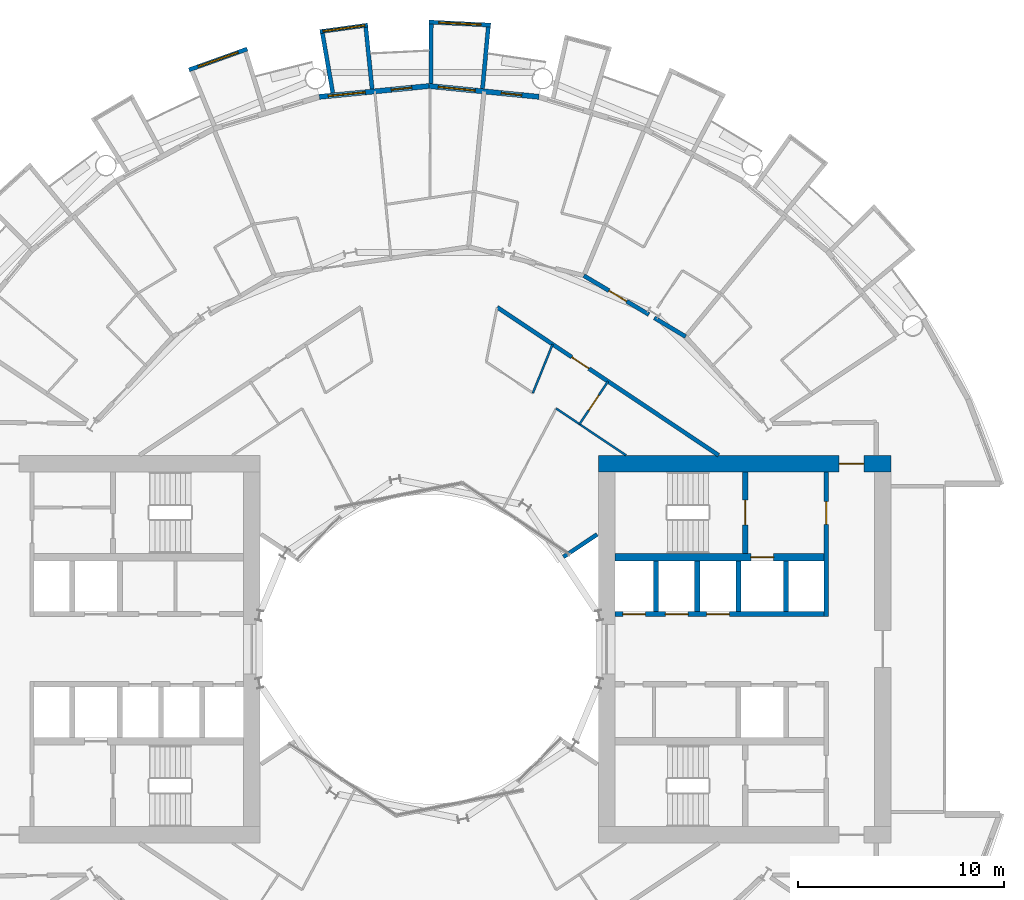
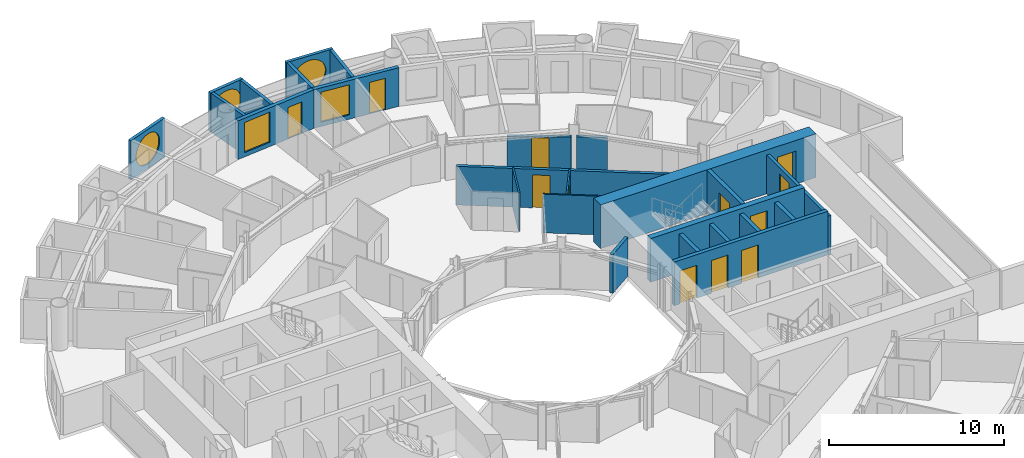
# One storey, part 20 of 26: 25 walls, 12 doors, 5 windows, 17 openings.
"""IFC4 building model written with IfcOpenShell, lengths in metres."""

import ifcopenshell
import ifcopenshell.guid

model = None  # the IFC model being written
_history = None  # IfcOwnerHistory: only IFC2X3 demands one
_inside = {}  # id of a spatial element -> (the spatial element, [elements in it])
_under = {}  # id of a project, library or spatial element -> (it, [spatial elements below it])
_declared = {}  # id of a project -> (the project, [libraries it declares])
_typed = {}  # id of a type object -> (the type object, [elements of that type])
_made_of = {}  # id of a material, layer set ... -> (it, [elements and type objects made of it])


def new_model(schema):
    """Start an empty IFC model of exactly this schema.

    Asked for "IFC4X3", IfcOpenShell would pick the latest addendum, in which some entities
    have other attributes; the version numbers below select the first issue.
    IFC2X3 requires an IfcOwnerHistory on every rooted entity: one is made here for all.
    """
    global model, _history
    if schema == "IFC4X3":
        model = ifcopenshell.file(schema_version=(4, 3, 0, 0))
    else:
        model = ifcopenshell.file(schema=schema)
    _inside.clear()
    _under.clear()
    _declared.clear()
    _typed.clear()
    _made_of.clear()
    _history = None
    if model.schema == "IFC2X3":
        org = make("IfcOrganization", Name="unknown")
        user = make(
            "IfcPersonAndOrganization",
            ThePerson=make("IfcPerson", FamilyName="unknown"),
            TheOrganization=org,
        )
        app = make(
            "IfcApplication",
            ApplicationDeveloper=org,
            Version="unknown",
            ApplicationFullName="unknown",
            ApplicationIdentifier="unknown",
        )
        _history = make(
            "IfcOwnerHistory",
            OwningUser=user,
            OwningApplication=app,
            ChangeAction="ADDED",
            CreationDate=0,
        )
    return model


def make(cls, **values):
    """One entity of the class cls with the attributes given. An attribute that is None is left unset."""
    return model.create_entity(
        cls, **{name: value for name, value in values.items() if value is not None}
    )


def rooted(cls, **values):
    """An entity with a GlobalId (a new one), such as an element, a storey or a relation."""
    return make(cls, GlobalId=ifcopenshell.guid.new(), OwnerHistory=_history, **values)


def si_unit(unit_type, name, prefix=None):
    """IfcSIUnit, for example si_unit("LENGTHUNIT", "METRE", prefix="MILLI")."""
    return make("IfcSIUnit", UnitType=unit_type, Prefix=prefix, Name=name)


def assignment(units):
    """IfcUnitAssignment: the units of a project."""
    return None if units is None else make("IfcUnitAssignment", Units=units)


def point(xyz):
    """IfcCartesianPoint."""
    return None if xyz is None else make("IfcCartesianPoint", Coordinates=xyz)


def direction(xyz):
    """IfcDirection."""
    return None if xyz is None else make("IfcDirection", DirectionRatios=xyz)


def frame(location, z_axis=None, x_axis=None):
    """IfcAxis2Placement3D, a coordinate frame: its origin and axes. An axis left out is left unset."""
    return make(
        "IfcAxis2Placement3D",
        Location=point(location),
        Axis=direction(z_axis),
        RefDirection=direction(x_axis),
    )


def frame_2d(location, x_axis=None):
    """IfcAxis2Placement2D, a coordinate frame in the plane: its origin and x axis."""
    return make(
        "IfcAxis2Placement2D", Location=point(location), RefDirection=direction(x_axis)
    )


def origin():
    """The frame at (0, 0, 0) with its axes left unset."""
    return frame((0.0, 0.0, 0.0))


def place(relative_to, where):
    """IfcLocalPlacement: puts the frame where relative to a parent placement (None: the world)."""
    return make(
        "IfcLocalPlacement", PlacementRelTo=relative_to, RelativePlacement=where
    )


def context(
    kind, dimensions, precision=None, world=None, true_north=None, identifier=None
):
    """IfcGeometricRepresentationContext, for example the 3D "Model" context."""
    return make(
        "IfcGeometricRepresentationContext",
        ContextIdentifier=identifier,
        ContextType=kind,
        CoordinateSpaceDimension=dimensions,
        Precision=precision,
        WorldCoordinateSystem=world,
        TrueNorth=true_north,
    )


def subcontext(parent, identifier, kind, view, scale=None):
    """IfcGeometricRepresentationSubContext, for example "Body" below "Model"."""
    return make(
        "IfcGeometricRepresentationSubContext",
        ContextIdentifier=identifier,
        ContextType=kind,
        ParentContext=parent,
        TargetScale=scale,
        TargetView=view,
    )


def project(units=None, contexts=None):
    """IfcProject with its units and contexts."""
    return rooted(
        "IfcProject",
        Name="project",
        RepresentationContexts=contexts,
        UnitsInContext=assignment(units),
    )


def spatial(cls, under=None, at=None, **own):
    """A site, building, storey or space (cls), placed at a placement, below another one or the project."""
    s = rooted(cls, ObjectPlacement=at, **own)
    if under is not None:
        _under.setdefault(under.id(), (under, []))[1].append(s)
    return s


def profile(cls, at=None, kind="AREA", **sizes):
    """A parametric profile (cls). Its sizes go by their IFC names, for example OverallWidth=200.0."""
    return make(cls, ProfileType=kind, Position=at, **sizes)


def rectangle(**sizes):
    """IfcRectangleProfileDef."""
    return profile("IfcRectangleProfileDef", **sizes)


def circle(**sizes):
    """IfcCircleProfileDef."""
    return profile("IfcCircleProfileDef", **sizes)


def extrude(swept, where, along, depth):
    """IfcExtrudedAreaSolid: the profile swept, set in the frame where, extruded along a direction by depth."""
    return make(
        "IfcExtrudedAreaSolid",
        SweptArea=swept,
        Position=where,
        ExtrudedDirection=direction(along),
        Depth=depth,
    )


def shape(context_of_items, identifier, shape_type, items):
    """IfcShapeRepresentation: the items that make up one representation, for example the "Body"."""
    return make(
        "IfcShapeRepresentation",
        ContextOfItems=context_of_items,
        RepresentationIdentifier=identifier,
        RepresentationType=shape_type,
        Items=items,
    )


def material(Name=None, Category=None):
    """IfcMaterial."""
    return make("IfcMaterial", Name=Name, Category=Category)


def layer(
    of_material, thickness, ventilated=None, Name=None, Category=None, Priority=None
):
    """IfcMaterialLayer: one layer of a wall or slab, of a material (None: an air gap)."""
    return make(
        "IfcMaterialLayer",
        Material=of_material,
        LayerThickness=thickness,
        IsVentilated=ventilated,
        Name=Name,
        Category=Category,
        Priority=Priority,
    )


def layer_set(layers, Name=None):
    """IfcMaterialLayerSet."""
    return make("IfcMaterialLayerSet", MaterialLayers=layers, LayerSetName=Name)


def made_of(thing, what):
    """Note that an element or type object is made of a material, layer set ...; save() writes the relation."""
    if what is not None:
        _made_of.setdefault(what.id(), (what, []))[1].append(thing)
    return thing


def type_object(cls, material=None, **own):
    """A type object (cls), such as IfcWallType, which elements share."""
    return made_of(rooted(cls, **own), material)


def element(
    cls,
    number,
    at=None,
    inside=None,
    cuts=None,
    type_object=None,
    material=None,
    context=None,
    identifier="Body",
    shape_type=None,
    held_by="IfcProductDefinitionShape",
    body=None,
    shapes=None,
    **own,
):
    """One element of the class cls, such as IfcWall. Its Tag is "e" and its number.

    at: its placement. inside: the storey or other place that contains it. cuts: it is an
    opening in that element (IfcRelVoidsElement). A single representation is given by context,
    identifier, shape_type and body (its items); several are given by shapes. held_by: the class
    of the entity that holds the representations. save() writes the other relations.
    """
    e = rooted(cls, Tag="e%d" % number, ObjectPlacement=at, **own)
    if body is not None:
        shapes = [shape(context, identifier, shape_type, body)]
    if shapes is not None:
        e.Representation = make(held_by, Representations=shapes)
    if inside is not None:
        _inside.setdefault(inside.id(), (inside, []))[1].append(e)
    if cuts is not None:
        rooted(
            "IfcRelVoidsElement", RelatingBuildingElement=cuts, RelatedOpeningElement=e
        )
    if type_object is not None:
        _typed.setdefault(type_object.id(), (type_object, []))[1].append(e)
    return made_of(e, material)


def fill(opening, filler):
    """IfcRelFillsElement: the door or window that sits in an opening."""
    return rooted(
        "IfcRelFillsElement",
        RelatingOpeningElement=opening,
        RelatedBuildingElement=filler,
    )


def aggregate(whole, parts):
    """IfcRelAggregates: a whole, such as a stair, and the parts it consists of."""
    return rooted("IfcRelAggregates", RelatingObject=whole, RelatedObjects=parts)


def save(model, path):
    """Write the relations noted so far, then the file.

    IfcRelAggregates (storeys below a building ...), IfcRelContainedInSpatialStructure (elements
    in a storey), IfcRelDefinesByType, IfcRelAssociatesMaterial and IfcRelDeclares: one each for
    every whole, place, type object, material and project.
    """
    for whole, parts in _under.values():
        aggregate(whole, parts)
    for where, things in _inside.values():
        rooted(
            "IfcRelContainedInSpatialStructure",
            RelatedElements=things,
            RelatingStructure=where,
        )
    for kind, things in _typed.values():
        rooted("IfcRelDefinesByType", RelatedObjects=things, RelatingType=kind)
    for what, things in _made_of.values():
        rooted("IfcRelAssociatesMaterial", RelatedObjects=things, RelatingMaterial=what)
    for by, libraries in _declared.values():
        rooted("IfcRelDeclares", RelatingContext=by, RelatedDefinitions=libraries)
    model.write(path)


model = new_model("IFC4")

# Units and contexts
model_context = context("Model", 3, precision=1e-05, world=origin(), true_north=direction((0.0, 1.0)))
body_context = subcontext(model_context, "Body", "Model", "MODEL_VIEW")
ifc_project = project(units=[si_unit("LENGTHUNIT", "METRE"), si_unit("AREAUNIT", "SQUARE_METRE"), si_unit("VOLUMEUNIT", "CUBIC_METRE"), si_unit("PLANEANGLEUNIT", "RADIAN"), si_unit("MASSUNIT", "GRAM", prefix="KILO")], contexts=[model_context])

# Site, building, storey
site_placement = place(None, origin())
site = spatial("IfcSite", under=ifc_project, at=site_placement, CompositionType="ELEMENT")
building_placement = place(site_placement, origin())
building = spatial("IfcBuilding", under=site, at=building_placement, Name="Maasbend Ring Residences", CompositionType="ELEMENT")
storey_placement = place(building_placement, frame((0.0, 0.0, 31.949951171875)))
storey = spatial("IfcBuildingStorey", under=building, at=storey_placement, Name="L08", CompositionType="ELEMENT", Elevation=31.949951171875)

# Wall, openings, doors
ifc_material_1 = material(Name="Concrete C70/85", Category="concrete")
ifc_layer_1 = layer(ifc_material_1, 0.25)
ifc_layer_set_1 = layer_set([ifc_layer_1], Name="Concrete C70/85")
wall_type_1 = type_object("IfcWallType", Name="CORE WALL 250 C70/85", PredefinedType="SHEAR", material=ifc_layer_set_1)
wall_1_placement = place(storey_placement, frame((9.0, 1.699951171875, 0.0), z_axis=(0.0, 0.0, 1.0), x_axis=(1.0, 0.0, 0.0)))
wall_1 = element("IfcWall", 1, at=wall_1_placement, inside=storey, type_object=wall_type_1, Name="L08 core E wall SPN", PredefinedType="SHEAR", context=body_context, shape_type="SweptSolid", body=[
    extrude(rectangle(XDim=10.14990234375, YDim=0.25, at=frame_2d((5.074951171875, 0.0))), origin(), (0.0, 0.0, 1.0), 3.050048828125),
])
opening_1_placement = place(wall_1_placement, frame((0.387451171875, 0.0, 0.0)))
opening_1 = element("IfcOpeningElement", 2, at=opening_1_placement, cuts=wall_1, Name="Opening LD-E0801", PredefinedType="OPENING", context=body_context, shape_type="SweptSolid", body=[
    extrude(rectangle(XDim=1.10009765625, YDim=2.300048828125, at=frame_2d((0.550048828125, 1.14990234375))), frame((0.0, 0.135009765625, 0.0), z_axis=(0.0, -1.0, 0.0), x_axis=(1.0, 0.0, 0.0)), (0.0, 0.0, 1.0), 0.27001953125),
])
opening_2_placement = place(wall_1_placement, frame((2.449951171875, 0.0, 0.0)))
opening_2 = element("IfcOpeningElement", 3, at=opening_2_placement, cuts=wall_1, Name="Opening LD-E0802", PredefinedType="OPENING", context=body_context, shape_type="SweptSolid", body=[
    extrude(rectangle(XDim=1.10009765625, YDim=2.300048828125, at=frame_2d((0.550048828125, 1.14990234375))), frame((0.0, 0.135009765625, 0.0), z_axis=(0.0, -1.0, 0.0), x_axis=(1.0, 0.0, 0.0)), (0.0, 0.0, 1.0), 0.27001953125),
])
opening_3_placement = place(wall_1_placement, frame((4.449951171875, 0.0, 0.0)))
opening_3 = element("IfcOpeningElement", 4, at=opening_3_placement, cuts=wall_1, Name="Opening LD-E0803", PredefinedType="OPENING", context=body_context, shape_type="SweptSolid", body=[
    extrude(rectangle(XDim=1.10009765625, YDim=2.300048828125, at=frame_2d((0.550048828125, 1.14990234375))), frame((0.0, 0.135009765625, 0.0), z_axis=(0.0, -1.0, 0.0), x_axis=(1.0, 0.0, 0.0)), (0.0, 0.0, 1.0), 0.27001953125),
])
ifc_material_2 = material(Name="Stainless steel 316", Category="steel")
door_type_1 = type_object("IfcDoorType", Name="LANDING DOOR 1100 X 2300 FD60", OperationType="DOUBLE_DOOR_SLIDING", PredefinedType="DOOR", material=ifc_material_2)
door_1_placement = place(opening_1_placement, origin())
door_1 = element("IfcDoor", 5, at=door_1_placement, inside=storey, type_object=door_type_1, Name="Landing door LR-E1 L08", OperationType="DOUBLE_DOOR_SLIDING", OverallHeight=2.300048828125, OverallWidth=1.10009765625, PredefinedType="DOOR", context=body_context, shape_type="SweptSolid", body=[
    extrude(rectangle(XDim=1.10009765625, YDim=2.300048828125, at=frame_2d((0.550048828125, 1.14990234375))), frame((0.0, 0.02490234375, 0.0), z_axis=(0.0, -1.0, 0.0), x_axis=(1.0, 0.0, 0.0)), (0.0, 0.0, 1.0), 0.050048828125),
])
fill(opening_1, door_1)
door_2_placement = place(opening_2_placement, origin())
door_2 = element("IfcDoor", 6, at=door_2_placement, inside=storey, type_object=door_type_1, Name="Landing door LR-E2 L08", OperationType="DOUBLE_DOOR_SLIDING", OverallHeight=2.300048828125, OverallWidth=1.10009765625, PredefinedType="DOOR", context=body_context, shape_type="SweptSolid", body=[
    extrude(rectangle(XDim=1.10009765625, YDim=2.300048828125, at=frame_2d((0.550048828125, 1.14990234375))), frame((0.0, 0.02490234375, 0.0), z_axis=(0.0, -1.0, 0.0), x_axis=(1.0, 0.0, 0.0)), (0.0, 0.0, 1.0), 0.050048828125),
])
fill(opening_2, door_2)
door_3_placement = place(opening_3_placement, origin())
door_3 = element("IfcDoor", 7, at=door_3_placement, inside=storey, type_object=door_type_1, Name="Landing door LR-E3 L08", OperationType="DOUBLE_DOOR_SLIDING", OverallHeight=2.300048828125, OverallWidth=1.10009765625, PredefinedType="DOOR", context=body_context, shape_type="SweptSolid", body=[
    extrude(rectangle(XDim=1.10009765625, YDim=2.300048828125, at=frame_2d((0.550048828125, 1.14990234375))), frame((0.0, 0.02490234375, 0.0), z_axis=(0.0, -1.0, 0.0), x_axis=(1.0, 0.0, 0.0)), (0.0, 0.0, 1.0), 0.050048828125),
])
fill(opening_3, door_3)

# Wall, opening, door
wall_2_placement = place(storey_placement, frame((15.324951171875, 4.64990234375, 0.0), z_axis=(0.0, 0.0, 1.0), x_axis=(0.0, 1.0, 0.0)))
wall_2 = element("IfcWall", 8, at=wall_2_placement, inside=storey, type_object=wall_type_1, Name="L08 core E wall STEN", PredefinedType="SHEAR", context=body_context, shape_type="SweptSolid", body=[
    extrude(rectangle(XDim=3.9501953125, YDim=0.25, at=frame_2d((1.97509765625, 0.0))), origin(), (0.0, 0.0, 1.0), 3.050048828125),
])
opening_4_placement = place(wall_2_placement, frame((1.375, 0.0, 0.0)))
opening_4 = element("IfcOpeningElement", 9, at=opening_4_placement, cuts=wall_2, Name="Opening D-E0810", PredefinedType="OPENING", context=body_context, shape_type="SweptSolid", body=[
    extrude(rectangle(XDim=1.199951171875, YDim=2.300048828125, at=frame_2d((0.60009765625, 1.14990234375))), frame((0.0, 0.135009765625, 0.0), z_axis=(0.0, -1.0, 0.0), x_axis=(1.0, 0.0, 0.0)), (0.0, 0.0, 1.0), 0.27001953125),
])
ifc_material_3 = material(Name="Steel, powder coated", Category="steel")
door_type_2 = type_object("IfcDoorType", Name="STAIR DOOR 1200 X 2300 FD60", OperationType="NOTDEFINED", PredefinedType="DOOR", material=ifc_material_3)
door_4_placement = place(opening_4_placement, origin())
door_4 = element("IfcDoor", 10, at=door_4_placement, inside=storey, type_object=door_type_2, Name="Stair door ST-E L08", OperationType="SINGLE_SWING_LEFT", OverallHeight=2.300048828125, OverallWidth=1.199951171875, PredefinedType="DOOR", context=body_context, shape_type="SweptSolid", body=[
    extrude(rectangle(XDim=1.199951171875, YDim=2.300048828125, at=frame_2d((0.60009765625, 1.14990234375))), frame((0.0, 0.02490234375, 0.0), z_axis=(0.0, -1.0, 0.0), x_axis=(1.0, 0.0, 0.0)), (0.0, 0.0, 1.0), 0.050048828125),
])
fill(opening_4, door_4)

ifc_material_4 = material(Name="Concrete C70/85", Category="concrete")
ifc_layer_2 = layer(ifc_material_4, 0.375)
ifc_layer_set_2 = layer_set([ifc_layer_2], Name="Concrete C70/85")
wall_type_2 = type_object("IfcWallType", Name="CORE WALL 375 C70/85", PredefinedType="SHEAR", material=ifc_layer_set_2)
wall_3_placement = place(storey_placement, frame((9.0, 4.46240234375, 0.0), z_axis=(0.0, 0.0, 1.0), x_axis=(1.0, 0.0, 0.0)))
wall_3 = element("IfcWall", 11, at=wall_3_placement, inside=storey, type_object=wall_type_2, Name="L08 core E wall BN", PredefinedType="SHEAR", context=body_context, shape_type="SweptSolid", body=[
    extrude(rectangle(XDim=10.14990234375, YDim=0.375, at=frame_2d((5.074951171875, 0.0))), origin(), (0.0, 0.0, 1.0), 3.050048828125),
])
opening_5_placement = place(wall_3_placement, frame((6.60009765625, 0.0, 0.0)))
opening_5 = element("IfcOpeningElement", 12, at=opening_5_placement, cuts=wall_3, Name="Opening LD-E0804", PredefinedType="OPENING", context=body_context, shape_type="SweptSolid", body=[
    extrude(rectangle(XDim=1.10009765625, YDim=2.300048828125, at=frame_2d((0.550048828125, 1.14990234375))), frame((0.0, 0.197509765625, 0.0), z_axis=(0.0, -1.0, 0.0), x_axis=(1.0, 0.0, 0.0)), (0.0, 0.0, 1.0), 0.39501953125),
])
door_5_placement = place(opening_5_placement, origin())
door_5 = element("IfcDoor", 13, at=door_5_placement, inside=storey, type_object=door_type_1, Name="Landing door FF-E L08", OperationType="DOUBLE_DOOR_SLIDING", OverallHeight=2.300048828125, OverallWidth=1.10009765625, PredefinedType="DOOR", context=body_context, shape_type="SweptSolid", body=[
    extrude(rectangle(XDim=1.10009765625, YDim=2.300048828125, at=frame_2d((0.550048828125, 1.14990234375))), frame((0.0, 0.02490234375, 0.0), z_axis=(0.0, -1.0, 0.0), x_axis=(1.0, 0.0, 0.0)), (0.0, 0.0, 1.0), 0.050048828125),
])
fill(opening_5, door_5)

ifc_material_5 = material(Name="Concrete C70/85", Category="concrete")
ifc_layer_3 = layer(ifc_material_5, 0.800048828125)
ifc_layer_set_3 = layer_set([ifc_layer_3], Name="Concrete C70/85")
wall_type_3 = type_object("IfcWallType", Name="CORE WALL 800 C70/85", PredefinedType="SHEAR", material=ifc_layer_set_3)
wall_4_placement = place(storey_placement, frame((22.39990234375, 9.0, 0.0), z_axis=(0.0, 0.0, 1.0), x_axis=(-1.0, 0.0, 0.0)))
wall_4 = element("IfcWall", 14, at=wall_4_placement, inside=storey, type_object=wall_type_3, Name="L08 core E wall PN", PredefinedType="SHEAR", context=body_context, shape_type="SweptSolid", body=[
    extrude(rectangle(XDim=14.199951171875, YDim=0.800048828125, at=frame_2d((7.10009765625, 0.0))), origin(), (0.0, 0.0, 1.0), 3.050048828125),
])
opening_6_placement = place(wall_4_placement, frame((1.324951171875, 0.0, 0.0)))
opening_6 = element("IfcOpeningElement", 15, at=opening_6_placement, cuts=wall_4, Name="Opening D-E0814", PredefinedType="OPENING", context=body_context, shape_type="SweptSolid", body=[
    extrude(rectangle(XDim=1.199951171875, YDim=2.300048828125, at=frame_2d((0.60009765625, 1.14990234375))), frame((0.0, 0.41015625, 0.0), z_axis=(0.0, -1.0, 0.0), x_axis=(1.0, 0.0, 0.0)), (0.0, 0.0, 1.0), 0.820068359375),
])
ifc_material_6 = material(Name="Steel, powder coated", Category="steel")
door_type_3 = type_object("IfcDoorType", Name="CORRIDOR DOOR 1200 X 2300 FD30S", OperationType="NOTDEFINED", PredefinedType="DOOR", material=ifc_material_6)
door_6_placement = place(opening_6_placement, origin())
door_6 = element("IfcDoor", 16, at=door_6_placement, inside=storey, type_object=door_type_3, Name="Corridor door L08", OperationType="SINGLE_SWING_RIGHT", OverallHeight=2.300048828125, OverallWidth=1.199951171875, PredefinedType="DOOR", context=body_context, shape_type="SweptSolid", body=[
    extrude(rectangle(XDim=1.199951171875, YDim=2.300048828125, at=frame_2d((0.60009765625, 1.14990234375))), frame((0.0, 0.02490234375, 0.0), z_axis=(0.0, -1.0, 0.0), x_axis=(1.0, 0.0, 0.0)), (0.0, 0.0, 1.0), 0.050048828125),
])
fill(opening_6, door_6)

ifc_material_7 = material(Name="Concrete C30/37", Category="concrete")
ifc_layer_4 = layer(ifc_material_7, 0.199951171875)
ifc_layer_set_4 = layer_set([ifc_layer_4], Name="Concrete C30/37")
wall_type_4 = type_object("IfcWallType", Name="CORRIDOR WALL 200 CONCRETE", PredefinedType="PARTITIONING", material=ifc_layer_set_4)
wall_5_placement = place(storey_placement, frame((3.299072265625, 16.573974609375, 0.0), z_axis=(0.0, 0.0, 1.0), x_axis=(0.831465254975, -0.555576754166, 0.0)))
wall_5 = element("IfcWall", 17, at=wall_5_placement, inside=storey, type_object=wall_type_4, Name="U-L08-w085", PredefinedType="PARTITIONING", context=body_context, shape_type="SweptSolid", body=[
    extrude(rectangle(XDim=12.91455078125, YDim=0.199951171875, at=frame_2d((6.457275390625, 0.0))), origin(), (0.0, 0.0, 1.0), 2.699951171875),
])
opening_7_placement = place(wall_5_placement, frame((4.345947265625, 0.0, 0.0)))
opening_7 = element("IfcOpeningElement", 18, at=opening_7_placement, cuts=wall_5, Name="Opening D-0821", PredefinedType="OPENING", context=body_context, shape_type="SweptSolid", body=[
    extrude(rectangle(XDim=1.0, YDim=2.300048828125, at=frame_2d((0.5, 1.14990234375))), frame((0.0, 0.10986328125, 0.0), z_axis=(0.0, -1.0, 0.0), x_axis=(1.0, 0.0, 0.0)), (0.0, 0.0, 1.0), 0.219970703125),
])
ifc_material_8 = material(Name="Timber, fire-rated, painted", Category="wood")
door_type_4 = type_object("IfcDoorType", Name="FLAT ENTRANCE DOOR 1000 X 2300 FIRE-RATED", OperationType="NOTDEFINED", PredefinedType="DOOR", material=ifc_material_8)
door_7_placement = place(opening_7_placement, origin())
door_7 = element("IfcDoor", 19, at=door_7_placement, inside=storey, type_object=door_type_4, Name="D-0821", OperationType="SINGLE_SWING_LEFT", OverallHeight=2.300048828125, OverallWidth=1.0, PredefinedType="DOOR", context=body_context, shape_type="SweptSolid", body=[
    extrude(rectangle(XDim=1.0, YDim=2.300048828125, at=frame_2d((0.5, 1.14990234375))), frame((0.0, 0.02490234375, 0.0), z_axis=(0.0, -1.0, 0.0), x_axis=(1.0, 0.0, 0.0)), (0.0, 0.0, 1.0), 0.050048828125),
])
fill(opening_7, door_7)

wall_6_placement = place(storey_placement, frame((7.5009765625, 18.10791015625, 0.0), z_axis=(0.0, 0.0, 1.0), x_axis=(0.857656999296, -0.514222200569, 0.0)))
wall_6 = element("IfcWall", 20, at=wall_6_placement, inside=storey, type_object=wall_type_4, Name="U-L08-w092", PredefinedType="PARTITIONING", context=body_context, shape_type="SweptSolid", body=[
    extrude(rectangle(XDim=3.67529296875, YDim=0.199951171875, at=frame_2d((1.837646484375, 0.0))), origin(), (0.0, 0.0, 1.0), 2.380126953125),
])
opening_8_placement = place(wall_6_placement, frame((1.41796875, 0.0, 0.0)))
opening_8 = element("IfcOpeningElement", 21, at=opening_8_placement, cuts=wall_6, Name="Opening D-0804", PredefinedType="OPENING", context=body_context, shape_type="SweptSolid", body=[
    extrude(rectangle(XDim=1.0, YDim=2.300048828125, at=frame_2d((0.5, 1.14990234375))), frame((0.0, 0.10986328125, 0.0), z_axis=(0.0, -1.0, 0.0), x_axis=(1.0, 0.0, 0.0)), (0.0, 0.0, 1.0), 0.219970703125),
])
door_8_placement = place(opening_8_placement, origin())
door_8 = element("IfcDoor", 22, at=door_8_placement, inside=storey, type_object=door_type_4, Name="D-0804", OperationType="SINGLE_SWING_RIGHT", OverallHeight=2.300048828125, OverallWidth=1.0, PredefinedType="DOOR", context=body_context, shape_type="SweptSolid", body=[
    extrude(rectangle(XDim=1.0, YDim=2.300048828125, at=frame_2d((0.5, 1.14990234375))), frame((0.0, 0.02490234375, 0.0), z_axis=(0.0, -1.0, 0.0), x_axis=(1.0, 0.0, 0.0)), (0.0, 0.0, 1.0), 0.050048828125),
])
fill(opening_8, door_8)

# Wall
wall_7_placement = place(storey_placement, frame((10.9150390625, 16.06103515625, 0.0), z_axis=(0.0, 0.0, 1.0), x_axis=(0.857809047014, -0.513968519329, 0.0)))
element("IfcWall", 23, at=wall_7_placement, inside=storey, type_object=wall_type_4, Name="U-L08-w093", PredefinedType="PARTITIONING", context=body_context, shape_type="SweptSolid", body=[
    extrude(rectangle(XDim=1.770751953125, YDim=0.199951171875, at=frame_2d((0.88525390625, 0.0))), origin(), (0.0, 0.0, 1.0), 2.380126953125),
])

# Wall, opening, window
ifc_material_9 = material(Name="Pale anodised aluminium panel", Category="aluminium")
ifc_layer_5 = layer(ifc_material_9, 0.199951171875)
ifc_layer_set_5 = layer_set([ifc_layer_5], Name="EW-BOX")
wall_type_5 = type_object("IfcWallType", Name="EW-BOX", PredefinedType="SOLIDWALL", material=ifc_layer_set_5)
wall_8_placement = place(storey_placement, frame((2.985107421875, 30.2529296875, -0.030029296875), z_axis=(0.0, 0.0, 1.0), x_axis=(-0.998794083011, 0.049095618353, 0.0)))
wall_8 = element("IfcWall", 24, at=wall_8_placement, inside=storey, type_object=wall_type_5, Name="Box front N10", PredefinedType="SOLIDWALL", context=body_context, shape_type="SweptSolid", body=[
    extrude(rectangle(XDim=2.99365234375, YDim=0.199951171875, at=frame_2d((1.496826171875, 0.0))), origin(), (0.0, 0.0, 1.0), 2.72998046875),
])
opening_9_placement = place(wall_8_placement, frame((0.45654296875, 0.0, 0.330078125)))
opening_9 = element("IfcOpeningElement", 25, at=opening_9_placement, cuts=wall_8, Name="Opening W-RD", PredefinedType="OPENING", context=body_context, shape_type="SweptSolid", body=[
    extrude(circle(Radius=1.0400390625, at=frame_2d((1.0400390625, 1.0400390625))), frame((0.0, 0.10986328125, 0.0), z_axis=(0.0, -1.0, 0.0), x_axis=(1.0, 0.0, 0.0)), (0.0, 0.0, 1.0), 0.219970703125),
])
ifc_material_10 = material(Name="Aluminium and clear glass", Category="aluminium")
window_type_1 = type_object("IfcWindowType", Name="W-RD", PartitioningType="SINGLE_PANEL", PredefinedType="WINDOW", material=ifc_material_10)
window_1_placement = place(opening_9_placement, origin())
window_1 = element("IfcWindow", 26, at=window_1_placement, inside=storey, type_object=window_type_1, Name="Round window N10", OverallHeight=2.080078125, OverallWidth=2.080078125, PartitioningType="SINGLE_PANEL", PredefinedType="WINDOW", context=body_context, shape_type="SweptSolid", body=[
    extrude(circle(Radius=1.0400390625, at=frame_2d((1.0400390625, 1.0400390625))), frame((0.0, 0.030029296875, 0.0), z_axis=(0.0, -1.0, 0.0), x_axis=(1.0, 0.0, 0.0)), (0.0, 0.0, 1.0), 0.06005859375),
])
fill(opening_9, window_1)

# Walls
wall_9_placement = place(storey_placement, frame((2.5859375, 27.1708984375, -0.030029296875), z_axis=(0.0, 0.0, 1.0), x_axis=(0.094548432284, 0.995520262954, 0.0)))
element("IfcWall", 27, at=wall_9_placement, inside=storey, type_object=wall_type_5, Name="Box side wall N10 left", PredefinedType="SOLIDWALL", context=body_context, shape_type="SweptSolid", body=[
    extrude(rectangle(XDim=3.005615234375, YDim=0.199951171875, at=frame_2d((1.5029296875, 0.0))), origin(), (0.0, 0.0, 1.0), 2.72998046875),
])
wall_10_placement = place(storey_placement, frame((0.090087890625, 27.4169921875, -0.030029296875), z_axis=(0.0, 0.0, 1.0), x_axis=(0.00347308367, 0.999993968827, 0.0)))
element("IfcWall", 28, at=wall_10_placement, inside=storey, type_object=wall_type_5, Name="Box side wall N10 right", PredefinedType="SOLIDWALL", context=body_context, shape_type="SweptSolid", body=[
    extrude(rectangle(XDim=2.882080078125, YDim=0.199951171875, at=frame_2d((1.44091796875, 0.0))), origin(), (0.0, 0.0, 1.0), 2.72998046875),
])

# Wall, opening, window
wall_11_placement = place(storey_placement, frame((-2.97607421875, 30.25390625, -0.030029296875), z_axis=(0.0, 0.0, 1.0), x_axis=(-0.990696111261, -0.136092671119, 0.0)))
wall_11 = element("IfcWall", 29, at=wall_11_placement, inside=storey, type_object=wall_type_5, Name="Box front N12", PredefinedType="SOLIDWALL", context=body_context, shape_type="SweptSolid", body=[
    extrude(rectangle(XDim=2.335693359375, YDim=0.199951171875, at=frame_2d((1.16796875, 0.0))), origin(), (0.0, 0.0, 1.0), 2.72998046875),
])
opening_10_placement = place(wall_11_placement, frame((0.128173828125, 0.0, 0.330078125)))
opening_10 = element("IfcOpeningElement", 30, at=opening_10_placement, cuts=wall_11, Name="Opening W-RD", PredefinedType="OPENING", context=body_context, shape_type="SweptSolid", body=[
    extrude(circle(Radius=1.0400390625, at=frame_2d((1.0400390625, 1.0400390625))), frame((0.0, 0.10986328125, 0.0), z_axis=(0.0, -1.0, 0.0), x_axis=(1.0, 0.0, 0.0)), (0.0, 0.0, 1.0), 0.219970703125),
])
window_2_placement = place(opening_10_placement, origin())
window_2 = element("IfcWindow", 31, at=window_2_placement, inside=storey, type_object=window_type_1, Name="Round window N12", OverallHeight=2.080078125, OverallWidth=2.080078125, PartitioningType="SINGLE_PANEL", PredefinedType="WINDOW", context=body_context, shape_type="SweptSolid", body=[
    extrude(circle(Radius=1.0400390625, at=frame_2d((1.0400390625, 1.0400390625))), frame((0.0, 0.030029296875, 0.0), z_axis=(0.0, -1.0, 0.0), x_axis=(1.0, 0.0, 0.0)), (0.0, 0.0, 1.0), 0.06005859375),
])
fill(opening_10, window_2)

# Walls
wall_12_placement = place(storey_placement, frame((-2.763916015625, 27.153076171875, -0.030029296875), z_axis=(0.0, 0.0, 1.0), x_axis=(-0.101505487237, 0.994834979311, 0.0)))
element("IfcWall", 32, at=wall_12_placement, inside=storey, type_object=wall_type_5, Name="Box side wall N12 left", PredefinedType="SOLIDWALL", context=body_context, shape_type="SweptSolid", body=[
    extrude(rectangle(XDim=3.006591796875, YDim=0.199951171875, at=frame_2d((1.50341796875, 0.0))), origin(), (0.0, 0.0, 1.0), 2.72998046875),
])
wall_13_placement = place(storey_placement, frame((-4.6708984375, 26.966064453125, -0.030029296875), z_axis=(0.0, 0.0, 1.0), x_axis=(-0.170539878907, 0.985350774954, 0.0)))
element("IfcWall", 33, at=wall_13_placement, inside=storey, type_object=wall_type_5, Name="Box side wall N12 right", PredefinedType="SOLIDWALL", context=body_context, shape_type="SweptSolid", body=[
    extrude(rectangle(XDim=2.931884765625, YDim=0.199951171875, at=frame_2d((1.4658203125, 0.0))), origin(), (0.0, 0.0, 1.0), 2.72998046875),
])

# Wall, opening, window
wall_14_placement = place(storey_placement, frame((-8.820068359375, 29.093017578125, -0.030029296875), z_axis=(0.0, 0.0, 1.0), x_axis=(-0.941461077774, -0.337121697664, 0.0)))
wall_14 = element("IfcWall", 34, at=wall_14_placement, inside=storey, type_object=wall_type_5, Name="Box front N14", PredefinedType="SOLIDWALL", context=body_context, shape_type="SweptSolid", body=[
    extrude(rectangle(XDim=2.9931640625, YDim=0.199951171875, at=frame_2d((1.49658203125, 0.0))), origin(), (0.0, 0.0, 1.0), 2.72998046875),
])
opening_11_placement = place(wall_14_placement, frame((0.45654296875, 0.0, 0.330078125)))
opening_11 = element("IfcOpeningElement", 35, at=opening_11_placement, cuts=wall_14, Name="Opening W-RD", PredefinedType="OPENING", context=body_context, shape_type="SweptSolid", body=[
    extrude(circle(Radius=1.0400390625, at=frame_2d((1.0400390625, 1.0400390625))), frame((0.0, 0.10986328125, 0.0), z_axis=(0.0, -1.0, 0.0), x_axis=(1.0, 0.0, 0.0)), (0.0, 0.0, 1.0), 0.219970703125),
])
window_3_placement = place(opening_11_placement, origin())
window_3 = element("IfcWindow", 36, at=window_3_placement, inside=storey, type_object=window_type_1, Name="Round window N14", OverallHeight=2.080078125, OverallWidth=2.080078125, PartitioningType="SINGLE_PANEL", PredefinedType="WINDOW", context=body_context, shape_type="SweptSolid", body=[
    extrude(circle(Radius=1.0400390625, at=frame_2d((1.0400390625, 1.0400390625))), frame((0.0, 0.030029296875, 0.0), z_axis=(0.0, -1.0, 0.0), x_axis=(1.0, 0.0, 0.0)), (0.0, 0.0, 1.0), 0.06005859375),
])
fill(opening_11, window_3)

# Wall, openings, door, window
ifc_material_11 = material(Name="Aluminium clad insulated panel", Category="aluminium")
ifc_layer_6 = layer(ifc_material_11, 0.25)
ifc_layer_set_6 = layer_set([ifc_layer_6], Name="EW-GL")
wall_type_6 = type_object("IfcWallType", Name="EW-GL", PredefinedType="SOLIDWALL", material=ifc_layer_set_6)
wall_15_placement = place(storey_placement, frame((5.325927734375, 26.77490234375, 0.0), z_axis=(0.0, 0.0, 1.0), x_axis=(-0.995173996315, 0.098126026407, 0.0)))
wall_15 = element("IfcWall", 37, at=wall_15_placement, inside=storey, type_object=wall_type_6, Name="External wall N05", PredefinedType="SOLIDWALL", context=body_context, shape_type="SweptSolid", body=[
    extrude(rectangle(XDim=5.351806640625, YDim=0.25, at=frame_2d((2.67578125, 0.0))), origin(), (0.0, 0.0, 1.0), 2.699951171875),
])
opening_12_placement = place(wall_15_placement, frame((0.841064453125, 0.0, 0.0)))
opening_12 = element("IfcOpeningElement", 38, at=opening_12_placement, cuts=wall_15, Name="Opening D-LG", PredefinedType="OPENING", context=body_context, shape_type="SweptSolid", body=[
    extrude(rectangle(XDim=1.0, YDim=2.199951171875, at=frame_2d((0.5, 1.10009765625))), frame((0.0, 0.135009765625, 0.0), z_axis=(0.0, -1.0, 0.0), x_axis=(1.0, 0.0, 0.0)), (0.0, 0.0, 1.0), 0.27001953125),
])
opening_13_placement = place(wall_15_placement, frame((3.110595703125, 0.0, 0.300048828125)))
opening_13 = element("IfcOpeningElement", 39, at=opening_13_placement, cuts=wall_15, Name="Opening W-BX", PredefinedType="OPENING", context=body_context, shape_type="SweptSolid", body=[
    extrude(rectangle(XDim=1.800048828125, YDim=2.10009765625, at=frame_2d((0.89990234375, 1.050048828125))), frame((0.0, 0.135009765625, 0.0), z_axis=(0.0, -1.0, 0.0), x_axis=(1.0, 0.0, 0.0)), (0.0, 0.0, 1.0), 0.27001953125),
])
ifc_material_12 = material(Name="Aluminium and clear glass", Category="aluminium")
door_type_5 = type_object("IfcDoorType", Name="D-LG", OperationType="SINGLE_SWING_LEFT", PredefinedType="DOOR", material=ifc_material_12)
door_9_placement = place(opening_12_placement, origin())
door_9 = element("IfcDoor", 40, at=door_9_placement, inside=storey, type_object=door_type_5, Name="Loggia door N09", OperationType="SINGLE_SWING_LEFT", OverallHeight=2.199951171875, OverallWidth=1.0, PredefinedType="DOOR", context=body_context, shape_type="SweptSolid", body=[
    extrude(rectangle(XDim=1.0, YDim=2.199951171875, at=frame_2d((0.5, 1.10009765625))), frame((0.0, 0.02490234375, 0.0), z_axis=(0.0, -1.0, 0.0), x_axis=(1.0, 0.0, 0.0)), (0.0, 0.0, 1.0), 0.050048828125),
])
fill(opening_12, door_9)
ifc_material_13 = material(Name="Aluminium and clear glass", Category="aluminium")
window_type_2 = type_object("IfcWindowType", Name="W-BX", PartitioningType="DOUBLE_PANEL_VERTICAL", PredefinedType="WINDOW", material=ifc_material_13)
window_4_placement = place(opening_13_placement, origin())
window_4 = element("IfcWindow", 41, at=window_4_placement, inside=storey, type_object=window_type_2, Name="Window N10 room to box", OverallHeight=2.10009765625, OverallWidth=1.800048828125, PartitioningType="SINGLE_PANEL", PredefinedType="WINDOW", context=body_context, shape_type="SweptSolid", body=[
    extrude(rectangle(XDim=1.800048828125, YDim=2.10009765625, at=frame_2d((0.89990234375, 1.050048828125))), frame((0.0, 0.030029296875, 0.0), z_axis=(0.0, -1.0, 0.0), x_axis=(1.0, 0.0, 0.0)), (0.0, 0.0, 1.0), 0.06005859375),
])
fill(opening_13, window_4)

wall_16_placement = place(storey_placement, frame((0.0, 27.300048828125, 0.0), z_axis=(0.0, 0.0, 1.0), x_axis=(-0.995173996315, -0.098126026407, 0.0)))
wall_16 = element("IfcWall", 42, at=wall_16_placement, inside=storey, type_object=wall_type_6, Name="External wall N06", PredefinedType="SOLIDWALL", context=body_context, shape_type="SweptSolid", body=[
    extrude(rectangle(XDim=5.351806640625, YDim=0.25, at=frame_2d((2.67578125, 0.0))), origin(), (0.0, 0.0, 1.0), 2.699951171875),
])
opening_14_placement = place(wall_16_placement, frame((0.841064453125, 0.0, 0.0)))
opening_14 = element("IfcOpeningElement", 43, at=opening_14_placement, cuts=wall_16, Name="Opening D-LG", PredefinedType="OPENING", context=body_context, shape_type="SweptSolid", body=[
    extrude(rectangle(XDim=1.0, YDim=2.199951171875, at=frame_2d((0.5, 1.10009765625))), frame((0.0, 0.135009765625, 0.0), z_axis=(0.0, -1.0, 0.0), x_axis=(1.0, 0.0, 0.0)), (0.0, 0.0, 1.0), 0.27001953125),
])
opening_15_placement = place(wall_16_placement, frame((3.110595703125, 0.0, 0.300048828125)))
opening_15 = element("IfcOpeningElement", 44, at=opening_15_placement, cuts=wall_16, Name="Opening W-BX", PredefinedType="OPENING", context=body_context, shape_type="SweptSolid", body=[
    extrude(rectangle(XDim=1.800048828125, YDim=2.10009765625, at=frame_2d((0.89990234375, 1.050048828125))), frame((0.0, 0.135009765625, 0.0), z_axis=(0.0, -1.0, 0.0), x_axis=(1.0, 0.0, 0.0)), (0.0, 0.0, 1.0), 0.27001953125),
])
door_10_placement = place(opening_14_placement, origin())
door_10 = element("IfcDoor", 45, at=door_10_placement, inside=storey, type_object=door_type_5, Name="Loggia door N11", OperationType="SINGLE_SWING_LEFT", OverallHeight=2.199951171875, OverallWidth=1.0, PredefinedType="DOOR", context=body_context, shape_type="SweptSolid", body=[
    extrude(rectangle(XDim=1.0, YDim=2.199951171875, at=frame_2d((0.5, 1.10009765625))), frame((0.0, 0.02490234375, 0.0), z_axis=(0.0, -1.0, 0.0), x_axis=(1.0, 0.0, 0.0)), (0.0, 0.0, 1.0), 0.050048828125),
])
fill(opening_14, door_10)
window_5_placement = place(opening_15_placement, origin())
window_5 = element("IfcWindow", 46, at=window_5_placement, inside=storey, type_object=window_type_2, Name="Window N12 room to box", OverallHeight=2.10009765625, OverallWidth=1.800048828125, PartitioningType="SINGLE_PANEL", PredefinedType="WINDOW", context=body_context, shape_type="SweptSolid", body=[
    extrude(rectangle(XDim=1.800048828125, YDim=2.10009765625, at=frame_2d((0.89990234375, 1.050048828125))), frame((0.0, 0.030029296875, 0.0), z_axis=(0.0, -1.0, 0.0), x_axis=(1.0, 0.0, 0.0)), (0.0, 0.0, 1.0), 0.06005859375),
])
fill(opening_15, window_5)

# Wall
ifc_material_14 = material(Name="Gypsum board on steel studs", Category="steel")
ifc_layer_7 = layer(ifc_material_14, 0.10009765625)
ifc_layer_set_7 = layer_set([ifc_layer_7], Name="PARTITION 100 GYPSUM")
wall_type_7 = type_object("IfcWallType", Name="PARTITION 100 GYPSUM", PredefinedType="PARTITIONING", material=ifc_layer_set_7)
wall_17_placement = place(storey_placement, frame((5.029052734375, 12.41796875, 0.0), z_axis=(0.0, 0.0, 1.0), x_axis=(0.375649498413, 0.926761811008, 0.0)))
element("IfcWall", 47, at=wall_17_placement, inside=storey, type_object=wall_type_7, Name="U-L08-w058", PredefinedType="PARTITIONING", context=body_context, shape_type="SweptSolid", body=[
    extrude(rectangle(XDim=2.547607421875, YDim=0.10009765625, at=frame_2d((1.27392578125, 0.0))), origin(), (0.0, 0.0, 1.0), 2.699951171875),
])

# Wall, opening, door
wall_18_placement = place(storey_placement, frame((7.2890625, 10.907958984375, 0.0), z_axis=(0.0, 0.0, 1.0), x_axis=(0.555355163998, 0.831613276602, 0.0)))
wall_18 = element("IfcWall", 48, at=wall_18_placement, inside=storey, type_object=wall_type_7, Name="U-L08-w061", PredefinedType="PARTITIONING", context=body_context, shape_type="SweptSolid", body=[
    extrude(rectangle(XDim=2.493896484375, YDim=0.10009765625, at=frame_2d((1.2470703125, 0.0))), origin(), (0.0, 0.0, 1.0), 2.699951171875),
])
opening_16_placement = place(wall_18_placement, frame((0.797119140625, 0.0, 0.0)))
opening_16 = element("IfcOpeningElement", 49, at=opening_16_placement, cuts=wall_18, Name="Opening D-0823", PredefinedType="OPENING", context=body_context, shape_type="SweptSolid", body=[
    extrude(rectangle(XDim=0.89990234375, YDim=2.300048828125, at=frame_2d((0.449951171875, 1.14990234375))), frame((0.0, 0.06005859375, 0.0), z_axis=(0.0, -1.0, 0.0), x_axis=(1.0, 0.0, 0.0)), (0.0, 0.0, 1.0), 0.1201171875),
])
ifc_material_15 = material(Name="Timber, painted", Category="wood")
door_type_6 = type_object("IfcDoorType", Name="INTERNAL DOOR 900 X 2300", OperationType="NOTDEFINED", PredefinedType="DOOR", material=ifc_material_15)
door_11_placement = place(opening_16_placement, origin())
door_11 = element("IfcDoor", 50, at=door_11_placement, inside=storey, type_object=door_type_6, Name="D-0823", OperationType="SINGLE_SWING_RIGHT", OverallHeight=2.300048828125, OverallWidth=0.89990234375, PredefinedType="DOOR", context=body_context, shape_type="SweptSolid", body=[
    extrude(rectangle(XDim=0.89990234375, YDim=2.300048828125, at=frame_2d((0.449951171875, 1.14990234375))), frame((0.0, 0.02490234375, 0.0), z_axis=(0.0, -1.0, 0.0), x_axis=(1.0, 0.0, 0.0)), (0.0, 0.0, 1.0), 0.050048828125),
])
fill(opening_16, door_11)

# Walls
wall_19_placement = place(storey_placement, frame((6.158935546875, 11.6630859375, 0.0), z_axis=(0.0, 0.0, 1.0), x_axis=(0.831459707426, -0.555585056429, 0.0)))
element("IfcWall", 51, at=wall_19_placement, inside=storey, type_object=wall_type_7, Name="U-L08-w083", PredefinedType="PARTITIONING", context=body_context, shape_type="SweptSolid", body=[
    extrude(rectangle(XDim=4.073486328125, YDim=0.10009765625, at=frame_2d((2.03662109375, 0.0))), origin(), (0.0, 0.0, 1.0), 2.699951171875),
])
ifc_material_16 = material(Name="Concrete C30/37", Category="concrete")
ifc_layer_8 = layer(ifc_material_16, 0.199951171875)
ifc_layer_set_8 = layer_set([ifc_layer_8], Name="Concrete C30/37")
wall_type_8 = type_object("IfcWallType", Name="PARTY WALL 200 CONCRETE", PredefinedType="PARTITIONING", material=ifc_layer_set_8)
wall_20_placement = place(storey_placement, frame((6.512939453125, 4.471923828125, 0.0), z_axis=(0.0, 0.0, 1.0), x_axis=(0.831417956244, 0.555647533996, 0.0)))
element("IfcWall", 52, at=wall_20_placement, inside=storey, type_object=wall_type_8, Name="U-L08-w077", PredefinedType="PARTITIONING", context=body_context, shape_type="SweptSolid", body=[
    extrude(rectangle(XDim=1.9619140625, YDim=0.199951171875, at=frame_2d((0.98095703125, 0.0))), origin(), (0.0, 0.0, 1.0), 2.699951171875),
])

# Wall, opening, door
ifc_material_17 = material(Name="Concrete C30/37", Category="concrete")
ifc_layer_9 = layer(ifc_material_17, 0.199951171875)
ifc_layer_set_9 = layer_set([ifc_layer_9], Name="Concrete C30/37")
wall_type_9 = type_object("IfcWallType", Name="SHAFT WALL 200 EI 120", PredefinedType="SOLIDWALL", material=ifc_layer_set_9)
wall_21_placement = place(storey_placement, frame((19.25, 1.574951171875, 0.0), z_axis=(0.0, 0.0, 1.0), x_axis=(0.0, 1.0, 0.0)))
wall_21 = element("IfcWall", 53, at=wall_21_placement, inside=storey, type_object=wall_type_9, Name="L08 core E wall ENDN", PredefinedType="SOLIDWALL", context=body_context, shape_type="SweptSolid", body=[
    extrude(rectangle(XDim=7.025146484375, YDim=0.199951171875, at=frame_2d((3.5126953125, 0.0))), origin(), (0.0, 0.0, 1.0), 2.699951171875),
])
opening_17_placement = place(wall_21_placement, frame((4.47509765625, 0.0, 0.0)))
opening_17 = element("IfcOpeningElement", 54, at=opening_17_placement, cuts=wall_21, Name="Opening D-E0812", PredefinedType="OPENING", context=body_context, shape_type="SweptSolid", body=[
    extrude(rectangle(XDim=1.10009765625, YDim=2.300048828125, at=frame_2d((0.550048828125, 1.14990234375))), frame((0.0, 0.10986328125, 0.0), z_axis=(0.0, -1.0, 0.0), x_axis=(1.0, 0.0, 0.0)), (0.0, 0.0, 1.0), 0.219970703125),
])
ifc_material_18 = material(Name="Steel, powder coated", Category="steel")
door_type_7 = type_object("IfcDoorType", Name="LOBBY DOOR 1100 X 2300 FD60", OperationType="NOTDEFINED", PredefinedType="DOOR", material=ifc_material_18)
door_12_placement = place(opening_17_placement, origin())
door_12 = element("IfcDoor", 55, at=door_12_placement, inside=storey, type_object=door_type_7, Name="Lobby door L08", OperationType="SINGLE_SWING_LEFT", OverallHeight=2.300048828125, OverallWidth=1.10009765625, PredefinedType="DOOR", context=body_context, shape_type="SweptSolid", body=[
    extrude(rectangle(XDim=1.10009765625, YDim=2.300048828125, at=frame_2d((0.550048828125, 1.14990234375))), frame((0.0, 0.02490234375, 0.0), z_axis=(0.0, -1.0, 0.0), x_axis=(1.0, 0.0, 0.0)), (0.0, 0.0, 1.0), 0.050048828125),
])
fill(opening_17, door_12)

# Walls
ifc_material_19 = material(Name="Concrete C30/37", Category="concrete")
ifc_layer_10 = layer(ifc_material_19, 0.25)
ifc_layer_set_10 = layer_set([ifc_layer_10], Name="Concrete C30/37")
wall_type_10 = type_object("IfcWallType", Name="SHAFT WALL 250 EI 120", PredefinedType="SOLIDWALL", material=ifc_layer_set_10)
for number, where, z_axis, x_axis, name in (
    (56, (15.0, 1.824951171875, 0.0), (0.0, 0.0, 1.0), (0.0, 1.0, 0.0), "L08 core E wall D150N"),
    (57, (17.300048828125, 1.824951171875, 0.0), (0.0, 0.0, 1.0), (0.0, 1.0, 0.0), "L08 core E wall D173N"),
    (58, (11.0, 1.824951171875, 0.0), (0.0, 0.0, 1.0), (0.0, 1.0, 0.0), "L08 core E wall D110N"),
    (59, (13.0, 1.824951171875, 0.0), (0.0, 0.0, 1.0), (0.0, 1.0, 0.0), "L08 core E wall D130N"),
):
    element("IfcWall", number, at=place(storey_placement, frame(where, z_axis=z_axis, x_axis=x_axis)), inside=storey, type_object=wall_type_10, Name=name, PredefinedType="SOLIDWALL", context=body_context, shape_type="SweptSolid", body=[
        extrude(rectangle(XDim=2.449951171875, YDim=0.25, at=frame_2d((1.22509765625, 0.0))), origin(), (0.0, 0.0, 1.0), 2.699951171875),
    ])

save(model, "model.ifc")
